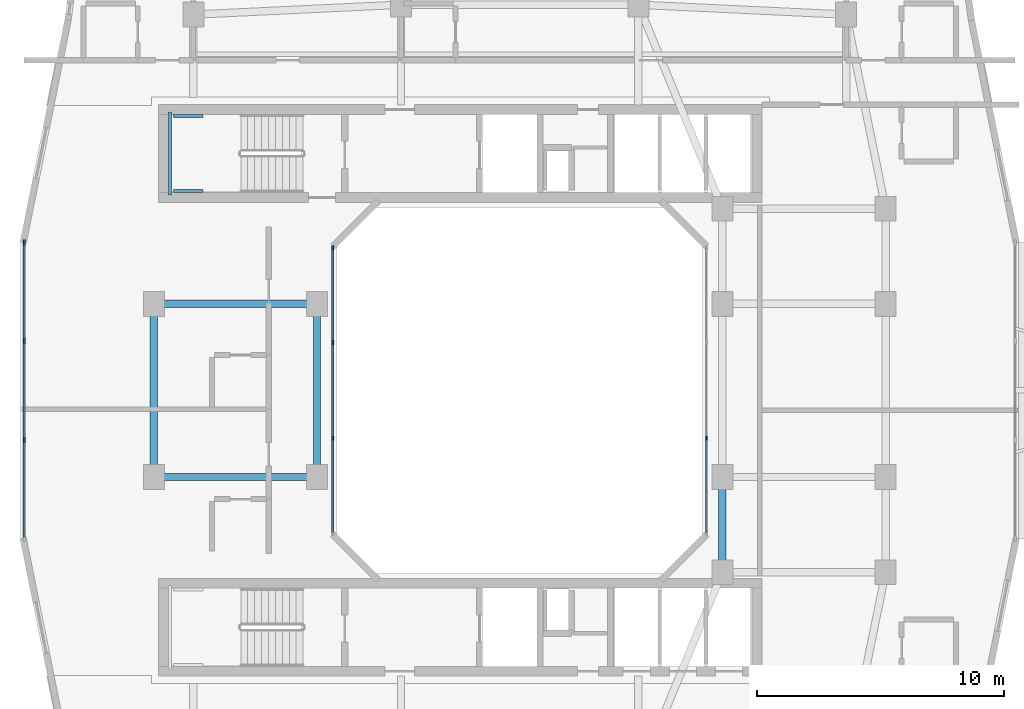
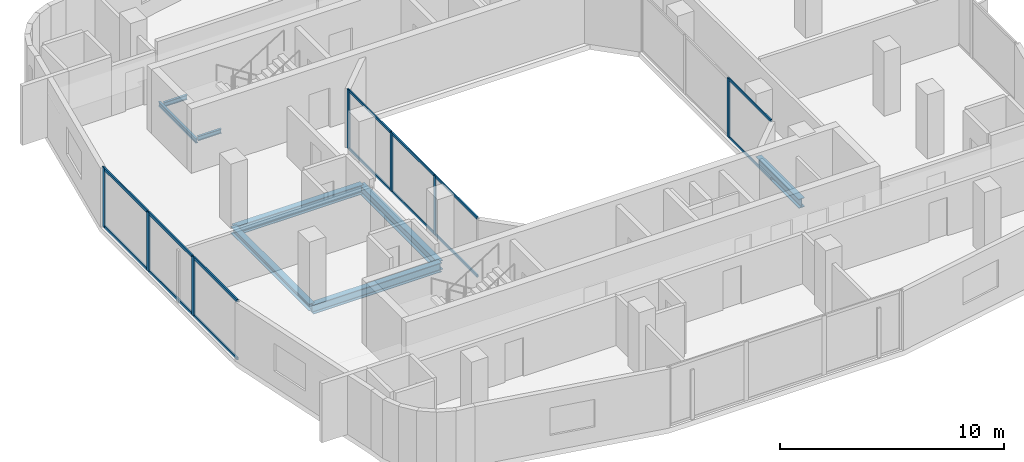
# One storey, part 3 of 18: 21 members, 8 beams, 3 elements without a shape of their own.
"""IFC4 building model written with IfcOpenShell, lengths in metres."""

from ifc_helpers import new_model, si_unit, derived_unit, direction, frame, origin, origin_2d, place, context, subcontext, project, spatial, rectangle, i_section, extrude, material, layer, layer_set, material_profile, profile_set, type_object, element, aggregate, save


model = new_model("IFC4")

# Units and contexts
model_context = context("Model", 3, precision=1e-05, world=origin(), true_north=direction((0.0, 1.0)))
body_context = subcontext(model_context, "Body", "Model", "MODEL_VIEW")
ifc_project = project(units=[si_unit("LENGTHUNIT", "METRE"), si_unit("AREAUNIT", "SQUARE_METRE"), si_unit("VOLUMEUNIT", "CUBIC_METRE"), si_unit("PLANEANGLEUNIT", "RADIAN"), si_unit("MASSUNIT", "GRAM", prefix="KILO"), derived_unit("THERMALTRANSMITTANCEUNIT", [(si_unit("POWERUNIT", "WATT"), 1), (si_unit("LENGTHUNIT", "METRE"), -2), (si_unit("THERMODYNAMICTEMPERATUREUNIT", "KELVIN"), -1)])], contexts=[model_context])

# Site, building, storey
site_placement = place(None, origin())
site = spatial("IfcSite", under=ifc_project, at=site_placement, CompositionType="ELEMENT")
building_placement = place(site_placement, origin())
building = spatial("IfcBuilding", under=site, at=building_placement, Name="Kivonza Crest Hotel", CompositionType="ELEMENT")
storey_placement = place(building_placement, frame((0.0, 0.0, 131.0)))
storey = spatial("IfcBuildingStorey", under=building, at=storey_placement, Name="L35", CompositionType="ELEMENT", Elevation=131.0)

# Beams
ifc_material_1 = material(Name="Steel S355", Category="steel")
ifc_material_profile_1 = material_profile(ifc_material_1, i_section(OverallWidth=0.300048828125, OverallDepth=0.360107421875, WebThickness=0.012451171875, FlangeThickness=0.0224609375, FilletRadius=0.027099609375, at=origin_2d()), Name="HEB 360")
ifc_profile_set_1 = profile_set([ifc_material_profile_1], Name="Steel S355")
beam_type_1 = type_object("IfcBeamType", Name="BM-HEB360", PredefinedType="SPANDREL", material=ifc_profile_set_1)
beam_1_placement = place(storey_placement, frame((6.199951171875, 28.5, -0.4599609375), z_axis=(0.0, -1.0, 0.0), x_axis=(1.0, 0.0, 0.0)))
element("IfcBeam", 1, at=beam_1_placement, inside=storey, type_object=beam_type_1, Name="Tower T1 L35 perimeter spandrel W2-W1", PredefinedType="SPANDREL", context=body_context, shape_type="SweptSolid", body=[
    extrude(i_section(OverallWidth=0.300048828125, OverallDepth=0.360107421875, WebThickness=0.012451171875, FlangeThickness=0.0224609375, FilletRadius=0.027099609375, at=origin_2d()), origin(), (0.0, 0.0, 1.0), 7.0),
])
ifc_material_profile_2 = material_profile(ifc_material_1, i_section(OverallWidth=0.300048828125, OverallDepth=0.5, WebThickness=0.014404296875, FlangeThickness=0.028076171875, FilletRadius=0.027099609375, at=origin_2d()), Name="HEB 500")
ifc_profile_set_2 = profile_set([ifc_material_profile_2], Name="Steel S355")
beam_type_2 = type_object("IfcBeamType", Name="BM-HEB500", PredefinedType="BEAM", material=ifc_profile_set_2)
for number, where, z_axis, x_axis, name in (
    (2, (6.199951171875, 21.5, -0.530029296875), (1.0, 0.0, 0.0), (0.0, 1.0, 0.0), "Tower T1 L35 primary girder W1-WL1"),
    (3, (6.199951171875, 28.5, -0.530029296875), (1.0, 0.0, 0.0), (0.0, 1.0, 0.0), "Tower T1 L35 primary girder W2-WL2"),
):
    element("IfcBeam", number, at=place(storey_placement, frame(where, z_axis=z_axis, x_axis=x_axis)), inside=storey, type_object=beam_type_2, Name=name, PredefinedType="BEAM", context=body_context, shape_type="SweptSolid", body=[
        extrude(i_section(OverallWidth=0.300048828125, OverallDepth=0.5, WebThickness=0.014404296875, FlangeThickness=0.028076171875, FilletRadius=0.027099609375, at=origin_2d()), origin(), (0.0, 0.0, 1.0), 6.60009765625),
    ])
beam_2_placement = place(storey_placement, frame((12.800048828125, 21.5, -0.530029296875), z_axis=(0.0, 1.0, 0.0), x_axis=(-1.0, 0.0, 0.0)))
element("IfcBeam", 4, at=beam_2_placement, inside=storey, type_object=beam_type_2, Name="Tower T1 L35 primary girder WL1-WL2", PredefinedType="BEAM", context=body_context, shape_type="SweptSolid", body=[
    extrude(i_section(OverallWidth=0.300048828125, OverallDepth=0.5, WebThickness=0.014404296875, FlangeThickness=0.028076171875, FilletRadius=0.027099609375, at=origin_2d()), origin(), (0.0, 0.0, 1.0), 7.0),
])
beam_3_placement = place(storey_placement, frame((29.199951171875, 17.64990234375, -0.530029296875), z_axis=(0.0, 1.0, 0.0), x_axis=(-1.0, 0.0, 0.0)))
element("IfcBeam", 5, at=beam_3_placement, inside=storey, type_object=beam_type_2, Name="Tower T1 L35 primary girder TSE-WR1", PredefinedType="BEAM", context=body_context, shape_type="SweptSolid", body=[
    extrude(i_section(OverallWidth=0.300048828125, OverallDepth=0.5, WebThickness=0.014404296875, FlangeThickness=0.028076171875, FilletRadius=0.027099609375, at=origin_2d()), origin(), (0.0, 0.0, 1.0), 3.85009765625),
])
ifc_material_profile_3 = material_profile(ifc_material_1, i_section(OverallWidth=0.1201171875, OverallDepth=0.239990234375, WebThickness=0.006103515625, FlangeThickness=0.009765625, FilletRadius=0.014892578125, at=origin_2d()), Name="IPE 240")
ifc_profile_set_3 = profile_set([ifc_material_profile_3], Name="Steel S355")
beam_type_3 = type_object("IfcBeamType", Name="BM-LLDG-240", PredefinedType="BEAM", material=ifc_profile_set_3)
beam_4_placement = place(storey_placement, frame((6.860107421875, 32.89990234375, 1.429931640625), z_axis=(0.0, 1.0, 0.0), x_axis=(-1.0, 0.0, 0.0)))
element("IfcBeam", 6, at=beam_4_placement, inside=storey, type_object=beam_type_3, Name="Stair ST-T1-N L35 West landing corbel", PredefinedType="BEAM", context=body_context, shape_type="SweptSolid", body=[
    extrude(i_section(OverallWidth=0.1201171875, OverallDepth=0.239990234375, WebThickness=0.006103515625, FlangeThickness=0.009765625, FilletRadius=0.014892578125, at=origin_2d()), origin(), (0.0, 0.0, 1.0), 3.360107421875),
])
for number, where, z_axis, x_axis, name in (
    (7, (6.989990234375, 33.06005859375, 1.429931640625), (1.0, 0.0, 0.0), (0.0, 1.0, 0.0), "Stair ST-T1-N L35 South landing corbel"),
    (8, (6.989990234375, 36.10009765625, 1.429931640625), (1.0, 0.0, 0.0), (0.0, 1.0, 0.0), "Stair ST-T1-N L35 North landing corbel"),
):
    element("IfcBeam", number, at=place(storey_placement, frame(where, z_axis=z_axis, x_axis=x_axis)), inside=storey, type_object=beam_type_3, Name=name, PredefinedType="BEAM", context=body_context, shape_type="SweptSolid", body=[
        extrude(i_section(OverallWidth=0.1201171875, OverallDepth=0.239990234375, WebThickness=0.006103515625, FlangeThickness=0.009765625, FilletRadius=0.014892578125, at=origin_2d()), origin(), (0.0, 0.0, 1.0), 1.2099609375),
    ])

# Curtain wall, member
ifc_material_2 = material(Name="Anodised bronze aluminium and low-E double glazing", Category="aluminium")
ifc_layer_1 = layer(ifc_material_2, 0.159912109375)
ifc_layer_set_1 = layer_set([ifc_layer_1], Name="Anodised bronze aluminium and low-E double glazing")
curtain_wall_type_1 = type_object("IfcCurtainWallType", Name="CW-SYS-5", PredefinedType="NOTDEFINED", material=ifc_layer_set_1)
curtain_wall_1_placement = place(storey_placement, origin())
curtain_wall_1 = element("IfcCurtainWall", 9, at=curtain_wall_1_placement, inside=storey, type_object=curtain_wall_type_1, Name="L35 unitised curtain wall CW-WELL-T1-L35-3", PredefinedType="NOTDEFINED")
ifc_material_3 = material(Name="Anodised bronze aluminium", Category="aluminium")
ifc_material_profile_4 = material_profile(ifc_material_3, rectangle(XDim=0.06494140625, YDim=0.179931640625, at=origin_2d()), Name="CW-M 65x180")
ifc_profile_set_4 = profile_set([ifc_material_profile_4], Name="Anodised bronze aluminium")
member_type_1 = type_object("IfcMemberType", Name="CW-MUL-65x180", PredefinedType="MULLION", material=ifc_profile_set_4)
member_1_placement = place(storey_placement, frame((28.56005859375, 23.066650390625, 0.0), z_axis=(0.0, 0.0, 1.0), x_axis=(-1.0, 0.0, 0.0)))
member_1 = element("IfcMember", 10, at=member_1_placement, type_object=member_type_1, Name="CW-5 mullion 2", PredefinedType="MULLION", context=body_context, shape_type="SweptSolid", body=[
    extrude(rectangle(XDim=0.06494140625, YDim=0.179931640625, at=origin_2d()), origin(), (0.0, 0.0, 1.0), 3.219970703125),
])

# Curtain wall, members
curtain_wall_2_placement = place(storey_placement, origin())
curtain_wall_2 = element("IfcCurtainWall", 11, at=curtain_wall_2_placement, inside=storey, type_object=curtain_wall_type_1, Name="L35 unitised curtain wall CW-WELL-T1-L35-7", PredefinedType="NOTDEFINED")
member_2_placement = place(storey_placement, frame((13.43994140625, 30.767578125, 0.0), z_axis=(0.0, 0.0, 1.0), x_axis=(1.0, 0.0, 0.0)))
member_2 = element("IfcMember", 12, at=member_2_placement, type_object=member_type_1, Name="CW-5 mullion 1", PredefinedType="MULLION", context=body_context, shape_type="SweptSolid", body=[
    extrude(rectangle(XDim=0.06494140625, YDim=0.179931640625, at=origin_2d()), origin(), (0.0, 0.0, 1.0), 3.219970703125),
])
member_3_placement = place(storey_placement, frame((13.43994140625, 26.933349609375, 0.0), z_axis=(0.0, 0.0, 1.0), x_axis=(1.0, 0.0, 0.0)))
member_3 = element("IfcMember", 13, at=member_3_placement, type_object=member_type_1, Name="CW-5 mullion 2", PredefinedType="MULLION", context=body_context, shape_type="SweptSolid", body=[
    extrude(rectangle(XDim=0.06494140625, YDim=0.179931640625, at=origin_2d()), origin(), (0.0, 0.0, 1.0), 3.219970703125),
])
member_4_placement = place(storey_placement, frame((13.43994140625, 23.066650390625, 0.0), z_axis=(0.0, 0.0, 1.0), x_axis=(1.0, 0.0, 0.0)))
member_4 = element("IfcMember", 14, at=member_4_placement, type_object=member_type_1, Name="CW-5 mullion 3", PredefinedType="MULLION", context=body_context, shape_type="SweptSolid", body=[
    extrude(rectangle(XDim=0.06494140625, YDim=0.179931640625, at=origin_2d()), origin(), (0.0, 0.0, 1.0), 3.219970703125),
])

ifc_layer_2 = layer(ifc_material_2, 0.179931640625)
ifc_layer_set_2 = layer_set([ifc_layer_2], Name="Anodised bronze aluminium and low-E double glazing")
curtain_wall_type_2 = type_object("IfcCurtainWallType", Name="CW-SYS-3", PredefinedType="NOTDEFINED", material=ifc_layer_set_2)
curtain_wall_3_placement = place(storey_placement, origin())
curtain_wall_3 = element("IfcCurtainWall", 15, at=curtain_wall_3_placement, inside=storey, type_object=curtain_wall_type_2, Name="L35 unitised curtain wall CW-T1-L35-35", PredefinedType="NOTDEFINED")
ifc_material_profile_5 = material_profile(ifc_material_3, rectangle(XDim=0.074951171875, YDim=0.219970703125, at=origin_2d()), Name="CW-M 75x220")
ifc_profile_set_5 = profile_set([ifc_material_profile_5], Name="Anodised bronze aluminium")
member_type_2 = type_object("IfcMemberType", Name="CW-MUL-75x220", PredefinedType="MULLION", material=ifc_profile_set_5)
member_5_placement = place(storey_placement, frame((0.9599609375, 30.982421875, 0.0), z_axis=(0.0, 0.0, 1.0), x_axis=(1.0, 0.0, 0.0)))
member_5 = element("IfcMember", 16, at=member_5_placement, type_object=member_type_2, Name="CW-3 mullion 1", PredefinedType="MULLION", context=body_context, shape_type="SweptSolid", body=[
    extrude(rectangle(XDim=0.074951171875, YDim=0.219970703125, at=origin_2d()), origin(), (0.0, 0.0, 1.0), 3.219970703125),
])
member_6_placement = place(storey_placement, frame((0.9599609375, 27.006591796875, 0.0), z_axis=(0.0, 0.0, 1.0), x_axis=(1.0, 0.0, 0.0)))
member_6 = element("IfcMember", 17, at=member_6_placement, type_object=member_type_2, Name="CW-3 mullion 2", PredefinedType="MULLION", context=body_context, shape_type="SweptSolid", body=[
    extrude(rectangle(XDim=0.074951171875, YDim=0.219970703125, at=origin_2d()), origin(), (0.0, 0.0, 1.0), 3.219970703125),
])
member_7_placement = place(storey_placement, frame((0.9599609375, 22.993408203125, 0.0), z_axis=(0.0, 0.0, 1.0), x_axis=(1.0, 0.0, 0.0)))
member_7 = element("IfcMember", 18, at=member_7_placement, type_object=member_type_2, Name="CW-3 mullion 3", PredefinedType="MULLION", context=body_context, shape_type="SweptSolid", body=[
    extrude(rectangle(XDim=0.074951171875, YDim=0.219970703125, at=origin_2d()), origin(), (0.0, 0.0, 1.0), 3.219970703125),
])

# Member
ifc_material_profile_6 = material_profile(ifc_material_3, rectangle(XDim=0.06494140625, YDim=0.139892578125, at=origin_2d()), Name="CW-T 65x140")
ifc_profile_set_6 = profile_set([ifc_material_profile_6], Name="Anodised bronze aluminium")
member_type_3 = type_object("IfcMemberType", Name="CW-TRN-65x140", PredefinedType="USERDEFINED", material=ifc_profile_set_6)
member_8_placement = place(storey_placement, frame((28.56005859375, 19.264892578125, 0.032470703125), z_axis=(0.0, 1.0, 0.0), x_axis=(-1.0, 0.0, 0.0)))
member_8 = element("IfcMember", 19, at=member_8_placement, type_object=member_type_3, Name="CW-5 transom 1.1", ObjectType="TRANSOM", PredefinedType="USERDEFINED", context=body_context, shape_type="SweptSolid", body=[
    extrude(rectangle(XDim=0.06494140625, YDim=0.139892578125, at=origin_2d()), origin(), (0.0, 0.0, 1.0), 3.769287109375),
])

member_9_placement = place(storey_placement, frame((28.56005859375, 19.264892578125, 3.1875), z_axis=(0.0, 1.0, 0.0), x_axis=(-1.0, 0.0, 0.0)))
member_9 = element("IfcMember", 20, at=member_9_placement, type_object=member_type_3, Name="CW-5 transom 1.2", ObjectType="TRANSOM", PredefinedType="USERDEFINED", context=body_context, shape_type="SweptSolid", body=[
    extrude(rectangle(XDim=0.06494140625, YDim=0.139892578125, at=origin_2d()), origin(), (0.0, 0.0, 1.0), 3.769287109375),
])

aggregate(curtain_wall_1, [member_1, member_8, member_9])

member_10_placement = place(storey_placement, frame((13.43994140625, 30.735107421875, 0.032470703125), z_axis=(0.0, -1.0, 0.0), x_axis=(1.0, 0.0, 0.0)))
member_10 = element("IfcMember", 21, at=member_10_placement, type_object=member_type_3, Name="CW-5 transom 1.1", ObjectType="TRANSOM", PredefinedType="USERDEFINED", context=body_context, shape_type="SweptSolid", body=[
    extrude(rectangle(XDim=0.06494140625, YDim=0.139892578125, at=origin_2d()), origin(), (0.0, 0.0, 1.0), 3.769287109375),
])

member_11_placement = place(storey_placement, frame((13.43994140625, 30.735107421875, 3.1875), z_axis=(0.0, -1.0, 0.0), x_axis=(1.0, 0.0, 0.0)))
member_11 = element("IfcMember", 22, at=member_11_placement, type_object=member_type_3, Name="CW-5 transom 1.2", ObjectType="TRANSOM", PredefinedType="USERDEFINED", context=body_context, shape_type="SweptSolid", body=[
    extrude(rectangle(XDim=0.06494140625, YDim=0.139892578125, at=origin_2d()), origin(), (0.0, 0.0, 1.0), 3.769287109375),
])

member_12_placement = place(storey_placement, frame((13.43994140625, 26.90087890625, 0.032470703125), z_axis=(0.0, -1.0, 0.0), x_axis=(1.0, 0.0, 0.0)))
member_12 = element("IfcMember", 23, at=member_12_placement, type_object=member_type_3, Name="CW-5 transom 2.1", ObjectType="TRANSOM", PredefinedType="USERDEFINED", context=body_context, shape_type="SweptSolid", body=[
    extrude(rectangle(XDim=0.06494140625, YDim=0.139892578125, at=origin_2d()), origin(), (0.0, 0.0, 1.0), 3.8017578125),
])

member_13_placement = place(storey_placement, frame((13.43994140625, 26.90087890625, 3.1875), z_axis=(0.0, -1.0, 0.0), x_axis=(1.0, 0.0, 0.0)))
member_13 = element("IfcMember", 24, at=member_13_placement, type_object=member_type_3, Name="CW-5 transom 2.2", ObjectType="TRANSOM", PredefinedType="USERDEFINED", context=body_context, shape_type="SweptSolid", body=[
    extrude(rectangle(XDim=0.06494140625, YDim=0.139892578125, at=origin_2d()), origin(), (0.0, 0.0, 1.0), 3.8017578125),
])

member_14_placement = place(storey_placement, frame((13.43994140625, 23.0341796875, 0.032470703125), z_axis=(0.0, -1.0, 0.0), x_axis=(1.0, 0.0, 0.0)))
member_14 = element("IfcMember", 25, at=member_14_placement, type_object=member_type_3, Name="CW-5 transom 3.1", ObjectType="TRANSOM", PredefinedType="USERDEFINED", context=body_context, shape_type="SweptSolid", body=[
    extrude(rectangle(XDim=0.06494140625, YDim=0.139892578125, at=origin_2d()), origin(), (0.0, 0.0, 1.0), 3.769287109375),
])

member_15_placement = place(storey_placement, frame((13.43994140625, 23.0341796875, 3.1875), z_axis=(0.0, -1.0, 0.0), x_axis=(1.0, 0.0, 0.0)))
member_15 = element("IfcMember", 26, at=member_15_placement, type_object=member_type_3, Name="CW-5 transom 3.2", ObjectType="TRANSOM", PredefinedType="USERDEFINED", context=body_context, shape_type="SweptSolid", body=[
    extrude(rectangle(XDim=0.06494140625, YDim=0.139892578125, at=origin_2d()), origin(), (0.0, 0.0, 1.0), 3.769287109375),
])

aggregate(curtain_wall_2, [member_2, member_3, member_4, member_10, member_11, member_12, member_13, member_14, member_15])

ifc_material_profile_7 = material_profile(ifc_material_3, rectangle(XDim=0.074951171875, YDim=0.159912109375, at=origin_2d()), Name="CW-T 75x160")
ifc_profile_set_7 = profile_set([ifc_material_profile_7], Name="Anodised bronze aluminium")
member_type_4 = type_object("IfcMemberType", Name="CW-TRN-75x160", PredefinedType="USERDEFINED", material=ifc_profile_set_7)
member_16_placement = place(storey_placement, frame((0.9599609375, 30.945068359375, 0.03759765625), z_axis=(0.0, -1.0, 0.0), x_axis=(1.0, 0.0, 0.0)))
member_16 = element("IfcMember", 27, at=member_16_placement, type_object=member_type_4, Name="CW-3 transom 1.1", ObjectType="TRANSOM", PredefinedType="USERDEFINED", context=body_context, shape_type="SweptSolid", body=[
    extrude(rectangle(XDim=0.074951171875, YDim=0.159912109375, at=origin_2d()), origin(), (0.0, 0.0, 1.0), 3.90087890625),
])

member_17_placement = place(storey_placement, frame((0.9599609375, 30.945068359375, 3.1826171875), z_axis=(0.0, -1.0, 0.0), x_axis=(1.0, 0.0, 0.0)))
member_17 = element("IfcMember", 28, at=member_17_placement, type_object=member_type_4, Name="CW-3 transom 1.2", ObjectType="TRANSOM", PredefinedType="USERDEFINED", context=body_context, shape_type="SweptSolid", body=[
    extrude(rectangle(XDim=0.074951171875, YDim=0.159912109375, at=origin_2d()), origin(), (0.0, 0.0, 1.0), 3.90087890625),
])

member_18_placement = place(storey_placement, frame((0.9599609375, 26.96923828125, 0.03759765625), z_axis=(0.0, -1.0, 0.0), x_axis=(1.0, 0.0, 0.0)))
member_18 = element("IfcMember", 29, at=member_18_placement, type_object=member_type_4, Name="CW-3 transom 2.1", ObjectType="TRANSOM", PredefinedType="USERDEFINED", context=body_context, shape_type="SweptSolid", body=[
    extrude(rectangle(XDim=0.074951171875, YDim=0.159912109375, at=origin_2d()), origin(), (0.0, 0.0, 1.0), 3.9384765625),
])

member_19_placement = place(storey_placement, frame((0.9599609375, 26.96923828125, 3.1826171875), z_axis=(0.0, -1.0, 0.0), x_axis=(1.0, 0.0, 0.0)))
member_19 = element("IfcMember", 30, at=member_19_placement, type_object=member_type_4, Name="CW-3 transom 2.2", ObjectType="TRANSOM", PredefinedType="USERDEFINED", context=body_context, shape_type="SweptSolid", body=[
    extrude(rectangle(XDim=0.074951171875, YDim=0.159912109375, at=origin_2d()), origin(), (0.0, 0.0, 1.0), 3.9384765625),
])

member_20_placement = place(storey_placement, frame((0.9599609375, 22.955810546875, 0.03759765625), z_axis=(0.0, -1.0, 0.0), x_axis=(1.0, 0.0, 0.0)))
member_20 = element("IfcMember", 31, at=member_20_placement, type_object=member_type_4, Name="CW-3 transom 3.1", ObjectType="TRANSOM", PredefinedType="USERDEFINED", context=body_context, shape_type="SweptSolid", body=[
    extrude(rectangle(XDim=0.074951171875, YDim=0.159912109375, at=origin_2d()), origin(), (0.0, 0.0, 1.0), 3.90087890625),
])

member_21_placement = place(storey_placement, frame((0.9599609375, 22.955810546875, 3.1826171875), z_axis=(0.0, -1.0, 0.0), x_axis=(1.0, 0.0, 0.0)))
member_21 = element("IfcMember", 32, at=member_21_placement, type_object=member_type_4, Name="CW-3 transom 3.2", ObjectType="TRANSOM", PredefinedType="USERDEFINED", context=body_context, shape_type="SweptSolid", body=[
    extrude(rectangle(XDim=0.074951171875, YDim=0.159912109375, at=origin_2d()), origin(), (0.0, 0.0, 1.0), 3.90087890625),
])

aggregate(curtain_wall_3, [member_5, member_6, member_7, member_16, member_17, member_18, member_19, member_20, member_21])

save(model, "model.ifc")
